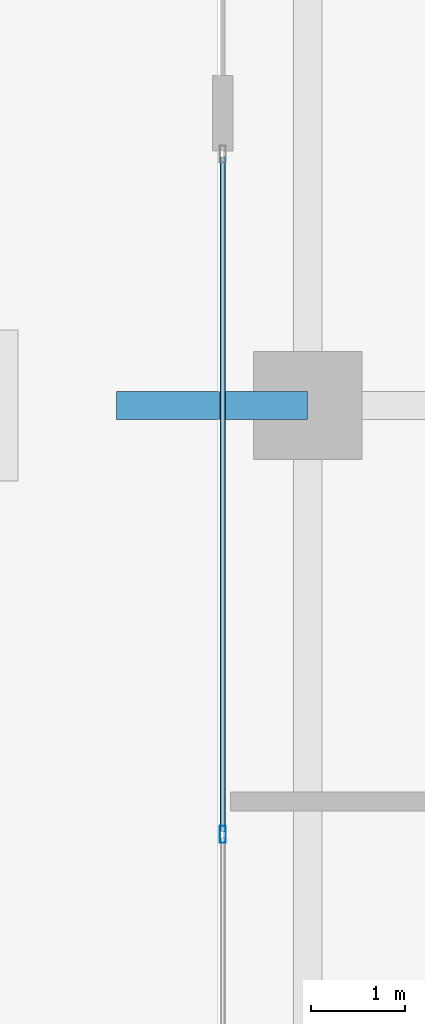
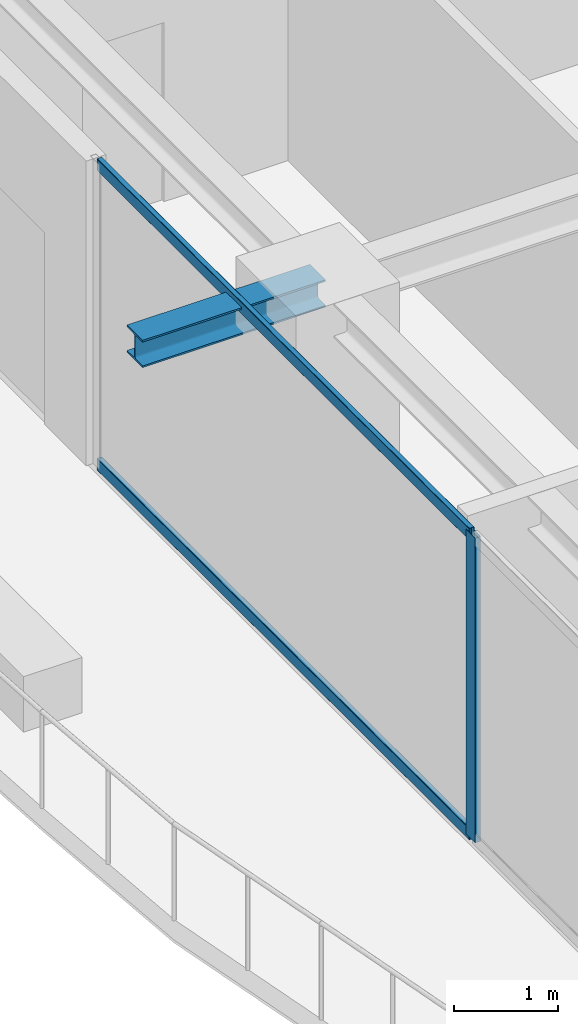
# One storey, part 8 of 36: 3 members, 1 beam, 1 element without a shape of its own.
"""IFC4 building model written with IfcOpenShell, lengths in metres."""

from ifc_helpers import new_model, si_unit, direction, frame, origin, origin_2d, place, context, subcontext, project, spatial, hollow_rectangle, i_section, extrude, source, transform, mapped, material, layer, layer_set, material_profile, profile_set, type_object, element, aggregate, save


model = new_model("IFC4")

# Units and contexts
model_context = context("Model", 3, precision=1e-05, world=origin(), true_north=direction((0.0, 1.0)))
body_context = subcontext(model_context, "Body", "Model", "MODEL_VIEW")
ifc_project = project(units=[si_unit("LENGTHUNIT", "METRE"), si_unit("AREAUNIT", "SQUARE_METRE"), si_unit("VOLUMEUNIT", "CUBIC_METRE"), si_unit("PLANEANGLEUNIT", "RADIAN"), si_unit("MASSUNIT", "GRAM", prefix="KILO")], contexts=[model_context])

# Site, building, storey
site_placement = place(None, origin())
site = spatial("IfcSite", under=ifc_project, at=site_placement, CompositionType="ELEMENT")
building_placement = place(site_placement, origin())
building = spatial("IfcBuilding", under=site, at=building_placement, Name="Serunith Strait Residences", CompositionType="ELEMENT")
storey_placement = place(building_placement, frame((0.0, 0.0, 225.85009765625)))
storey = spatial("IfcBuildingStorey", under=building, at=storey_placement, Name="L56", CompositionType="ELEMENT", Elevation=225.85009765625)

# Beam
ifc_material_1 = material(Name="Steel S355J2", Category="steel")
ifc_material_profile_1 = material_profile(ifc_material_1, i_section(OverallWidth=0.300048828125, OverallDepth=0.320068359375, WebThickness=0.011474609375, FlangeThickness=0.0205078125, FilletRadius=0.027099609375, at=origin_2d()), Name="HEB 320")
ifc_profile_set_1 = profile_set([ifc_material_profile_1], Name="Steel S355J2")
beam_type = type_object("IfcBeamType", Name="BM-HEB320", PredefinedType="BEAM", material=ifc_profile_set_1)
shared_shape_1 = source(origin(), body_context, "Body", "SweptSolid", [
    extrude(i_section(OverallWidth=0.300048828125, OverallDepth=0.320068359375, WebThickness=0.011474609375, FlangeThickness=0.0205078125, FilletRadius=0.027099609375, at=origin_2d()), origin(), (0.0, 0.0, 1.0), 2.030029296875),
])
beam_placement = place(storey_placement, frame((8.300048828125, 21.0, 3.39697265625), z_axis=(-1.0, 0.0, 0.0), x_axis=(0.0, -1.0, 0.0)))
element("IfcBeam", 1, at=beam_placement, inside=storey, type_object=beam_type, Name="L57 Cantilevered Balcony Rib TC-W2", PredefinedType="BEAM", context=body_context, shape_type="MappedRepresentation", body=[
    mapped(shared_shape_1, transform((0.0, 0.0, 0.0), scale=1.0)),
])

# Curtain wall, members
ifc_material_2 = material(Name="Pale-Champagne Anodised Aluminium", Category="aluminium")
ifc_layer = layer(ifc_material_2, 0.199951171875, Name="Pale-Champagne Anodised Aluminium")
ifc_layer_set = layer_set([ifc_layer], Name="Pale-Champagne Anodised Aluminium")
curtain_wall_type = type_object("IfcCurtainWallType", Name="CW-SYS4", PredefinedType="NOTDEFINED", material=ifc_layer_set)
curtain_wall_placement = place(storey_placement, origin())
curtain_wall = element("IfcCurtainWall", 2, at=curtain_wall_placement, inside=storey, type_object=curtain_wall_type, Name="L56 W Unitised Fritted Curtain Wall", PredefinedType="NOTDEFINED")
ifc_material_profile_2 = material_profile(ifc_material_2, hollow_rectangle(XDim=0.06494140625, YDim=0.179931640625, WallThickness=0.00341796875, InnerFilletRadius=0.00537109375, OuterFilletRadius=0.0087890625, at=origin_2d()), Name="ALU 180x65x3.5")
ifc_profile_set_2 = profile_set([ifc_material_profile_2], Name="Pale-Champagne Anodised Aluminium")
member_type_1 = type_object("IfcMemberType", Name="CW-SYS4-MULL", PredefinedType="MULLION", material=ifc_profile_set_2)
shared_shape_2 = source(origin(), body_context, "Body", "SweptSolid", [
    extrude(hollow_rectangle(XDim=0.06494140625, YDim=0.179931640625, WallThickness=0.00341796875, InnerFilletRadius=0.00537109375, OuterFilletRadius=0.0087890625, at=origin_2d()), origin(), (0.0, 0.0, 1.0), 3.574951171875),
])
member_1_placement = place(storey_placement, frame((7.39990234375, 16.449951171875, 0.0), z_axis=(0.0, 0.0, 1.0), x_axis=(1.0, 0.0, 0.0)))
member_1 = element("IfcMember", 3, at=member_1_placement, type_object=member_type_1, Name="CW-4 mullion 2", PredefinedType="MULLION", context=body_context, shape_type="MappedRepresentation", body=[
    mapped(shared_shape_2, transform((0.0, 0.0, 0.0), scale=1.0)),
])
ifc_material_profile_3 = material_profile(ifc_material_2, hollow_rectangle(XDim=0.06005859375, YDim=0.139892578125, WallThickness=0.00341796875, InnerFilletRadius=0.00537109375, OuterFilletRadius=0.0087890625, at=origin_2d()), Name="ALU 140x60x3.5")
ifc_profile_set_3 = profile_set([ifc_material_profile_3], Name="Pale-Champagne Anodised Aluminium")
member_type_2 = type_object("IfcMemberType", Name="CW-SYS4-TRAN", PredefinedType="USERDEFINED", material=ifc_profile_set_3)
shared_shape_3 = source(origin(), body_context, "Body", "SweptSolid", [
    extrude(hollow_rectangle(XDim=0.06005859375, YDim=0.139892578125, WallThickness=0.00341796875, InnerFilletRadius=0.00537109375, OuterFilletRadius=0.0087890625, at=origin_2d()), origin(), (0.0, 0.0, 1.0), 7.152587890625),
])
member_2_placement = place(storey_placement, frame((7.39990234375, 23.635009765625, 0.02978515625), z_axis=(0.0, -1.0, 0.0), x_axis=(1.0, 0.0, 0.0)))
member_2 = element("IfcMember", 4, at=member_2_placement, type_object=member_type_2, Name="CW-4 transom 1.1", ObjectType="TRANSOM", PredefinedType="USERDEFINED", context=body_context, shape_type="MappedRepresentation", body=[
    mapped(shared_shape_3, transform((0.0, 0.0, 0.0), scale=1.0)),
])
member_3_placement = place(storey_placement, frame((7.39990234375, 23.635009765625, 3.544921875), z_axis=(0.0, -1.0, 0.0), x_axis=(1.0, 0.0, 0.0)))
member_3 = element("IfcMember", 5, at=member_3_placement, type_object=member_type_2, Name="CW-4 transom 1.2", ObjectType="TRANSOM", PredefinedType="USERDEFINED", context=body_context, shape_type="MappedRepresentation", body=[
    mapped(shared_shape_3, transform((0.0, 0.0, 0.0), scale=1.0)),
])
aggregate(curtain_wall, [member_1, member_2, member_3])

save(model, "model.ifc")
